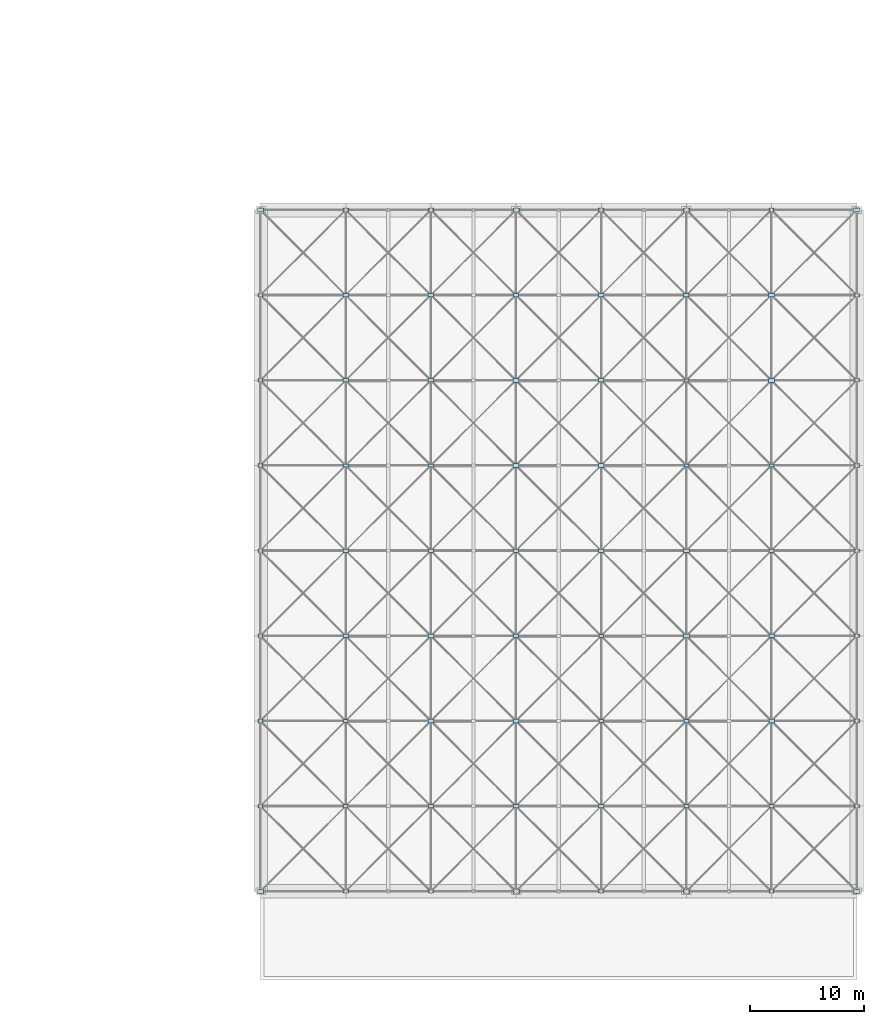
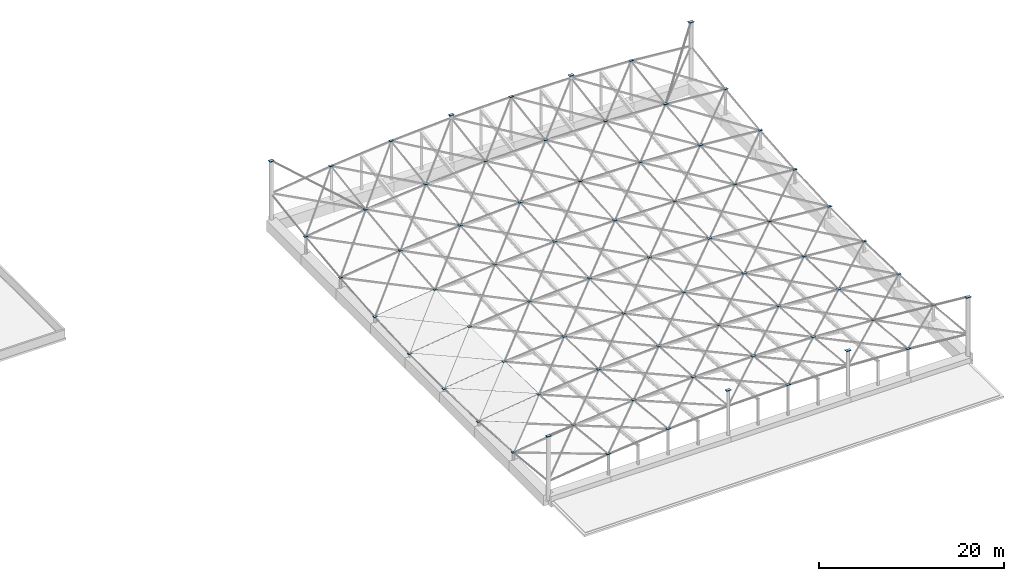
# One storey, part 13 of 17: 72 plates.
"""IFC4 building model written with IfcOpenShell, lengths in metres."""

from ifc_helpers import new_model, si_unit, direction, frame, origin, origin_2d, place, context, subcontext, project, spatial, rectangle, extrude, material, layer, layer_set, type_object, element, save


model = new_model("IFC4")

# Units and contexts
model_context = context("Model", 3, precision=1e-05, world=origin(), true_north=direction((0.0, 1.0)))
body_context = subcontext(model_context, "Body", "Model", "MODEL_VIEW")
ifc_project = project(units=[si_unit("LENGTHUNIT", "METRE"), si_unit("AREAUNIT", "SQUARE_METRE"), si_unit("VOLUMEUNIT", "CUBIC_METRE"), si_unit("PLANEANGLEUNIT", "RADIAN"), si_unit("MASSUNIT", "GRAM", prefix="KILO")], contexts=[model_context])

# Site, building, storey
site_placement = place(None, origin())
site = spatial("IfcSite", under=ifc_project, at=site_placement, CompositionType="ELEMENT")
building_placement = place(site_placement, origin())
building = spatial("IfcBuilding", under=site, at=building_placement, Name="Qasida Concert Hall", CompositionType="ELEMENT")
storey_placement = place(building_placement, frame((0.0, 0.0, 25.199951171875)))
storey = spatial("IfcBuildingStorey", under=building, at=storey_placement, Name="RF", CompositionType="ELEMENT", Elevation=25.199951171875)

# Plates
ifc_material = material(Name="Steel S355J2", Category="steel")
ifc_layer_1 = layer(ifc_material, 0.02392578125, Name="Steel S355J2")
ifc_layer_set_1 = layer_set([ifc_layer_1], Name="Steel S355J2")
plate_type_1 = type_object("IfcPlateType", Name="PLT-PL-EC1", PredefinedType="SHEET", material=ifc_layer_set_1)
for number, where, z_axis, x_axis, name in (
    (1, (52.5, 22.5, 8.38818359375), (0.0, 0.0, 1.0), (1.0, 0.0, 0.0), "Cable-net mast cap plate MS-01"),
    (2, (105.0, 22.5, 8.38818359375), (0.0, 0.0, 1.0), (1.0, 0.0, 0.0), "Cable-net mast cap plate MS-02"),
    (3, (52.5, 82.5, 8.38818359375), (0.0, 0.0, 1.0), (1.0, 0.0, 0.0), "Cable-net mast cap plate MS-03"),
    (4, (105.0, 82.5, 8.38818359375), (0.0, 0.0, 1.0), (1.0, 0.0, 0.0), "Cable-net mast cap plate MS-04"),
    (5, (75.0, 22.5, 6.588134765625), (0.0, 0.0, 1.0), (1.0, 0.0, 0.0), "Cable-net mast cap plate MS-05"),
    (6, (90.0, 22.5, 6.588134765625), (0.0, 0.0, 1.0), (1.0, 0.0, 0.0), "Cable-net mast cap plate MS-06"),
    (7, (75.0, 82.5, 6.588134765625), (0.0, 0.0, 1.0), (1.0, 0.0, 0.0), "Cable-net mast cap plate MS-07"),
    (8, (90.0, 82.5, 6.588134765625), (0.0, 0.0, 1.0), (1.0, 0.0, 0.0), "Cable-net mast cap plate MS-08"),
):
    element("IfcPlate", number, at=place(storey_placement, frame(where, z_axis=z_axis, x_axis=x_axis)), inside=storey, type_object=plate_type_1, Name=name, PredefinedType="SHEET", context=body_context, shape_type="SweptSolid", body=[
        extrude(rectangle(XDim=0.56005859375, YDim=0.3798828125, at=origin_2d()), origin(), (0.0, 0.0, 1.0), 0.02392578125),
    ])
ifc_layer_2 = layer(ifc_material, 0.02001953125, Name="Steel S355J2")
ifc_layer_set_2 = layer_set([ifc_layer_2], Name="Steel S355J2")
plate_type_2 = type_object("IfcPlateType", Name="PLT-PL-EC2", PredefinedType="SHEET", material=ifc_layer_set_2)
for number, where, z_axis, x_axis, name in (
    (9, (52.5, 30.0, 1.68994140625), (0.0, 0.0, 1.0), (1.0, 0.0, 0.0), "Edge strut cap plate EST-001"),
    (10, (52.5, 37.5, 1.215087890625), (0.0, 0.0, 1.0), (1.0, 0.0, 0.0), "Edge strut cap plate EST-002"),
    (11, (52.5, 45.0, 1.01513671875), (0.0, 0.0, 1.0), (1.0, 0.0, 0.0), "Edge strut cap plate EST-003"),
    (12, (52.5, 52.5, 1.090087890625), (0.0, 0.0, 1.0), (1.0, 0.0, 0.0), "Edge strut cap plate EST-004"),
    (13, (52.5, 60.0, 1.43994140625), (0.0, 0.0, 1.0), (1.0, 0.0, 0.0), "Edge strut cap plate EST-005"),
    (14, (52.5, 67.5, 2.06494140625), (0.0, 0.0, 1.0), (1.0, 0.0, 0.0), "Edge strut cap plate EST-006"),
    (15, (52.5, 75.0, 2.965087890625), (0.0, 0.0, 1.0), (1.0, 0.0, 0.0), "Edge strut cap plate EST-007"),
    (16, (60.0, 22.5, 3.4052734375), (0.0, 0.0, 1.0), (1.0, 0.0, 0.0), "Edge strut cap plate EST-008"),
    (17, (60.0, 82.5, 5.105224609375), (0.0, 0.0, 1.0), (1.0, 0.0, 0.0), "Edge strut cap plate EST-009"),
    (18, (67.5, 22.5, 4.101318359375), (0.0, 0.0, 1.0), (1.0, 0.0, 0.0), "Edge strut cap plate EST-010"),
    (19, (67.5, 82.5, 5.80126953125), (0.0, 0.0, 1.0), (1.0, 0.0, 0.0), "Edge strut cap plate EST-011"),
    (20, (82.5, 22.5, 4.68505859375), (0.0, 0.0, 1.0), (1.0, 0.0, 0.0), "Edge strut cap plate EST-012"),
    (21, (82.5, 82.5, 6.385009765625), (0.0, 0.0, 1.0), (1.0, 0.0, 0.0), "Edge strut cap plate EST-013"),
    (22, (97.5, 22.5, 4.19091796875), (0.0, 0.0, 1.0), (1.0, 0.0, 0.0), "Edge strut cap plate EST-014"),
    (23, (97.5, 82.5, 5.89111328125), (0.0, 0.0, 1.0), (1.0, 0.0, 0.0), "Edge strut cap plate EST-015"),
    (24, (105.0, 30.0, 2.7900390625), (0.0, 0.0, 1.0), (1.0, 0.0, 0.0), "Edge strut cap plate EST-016"),
    (25, (105.0, 37.5, 2.31494140625), (0.0, 0.0, 1.0), (1.0, 0.0, 0.0), "Edge strut cap plate EST-017"),
    (26, (105.0, 45.0, 2.114990234375), (0.0, 0.0, 1.0), (1.0, 0.0, 0.0), "Edge strut cap plate EST-018"),
    (27, (105.0, 52.5, 2.18994140625), (0.0, 0.0, 1.0), (1.0, 0.0, 0.0), "Edge strut cap plate EST-019"),
    (28, (105.0, 60.0, 2.5400390625), (0.0, 0.0, 1.0), (1.0, 0.0, 0.0), "Edge strut cap plate EST-020"),
    (29, (105.0, 67.5, 3.1650390625), (0.0, 0.0, 1.0), (1.0, 0.0, 0.0), "Edge strut cap plate EST-021"),
    (30, (105.0, 75.0, 4.06494140625), (0.0, 0.0, 1.0), (1.0, 0.0, 0.0), "Edge strut cap plate EST-022"),
):
    element("IfcPlate", number, at=place(storey_placement, frame(where, z_axis=z_axis, x_axis=x_axis)), inside=storey, type_object=plate_type_2, Name=name, PredefinedType="SHEET", context=body_context, shape_type="SweptSolid", body=[
        extrude(rectangle(XDim=0.4599609375, YDim=0.320068359375, at=origin_2d()), origin(), (0.0, 0.0, 1.0), 0.02001953125),
    ])
ifc_layer_3 = layer(ifc_material, 0.01806640625, Name="Steel S355J2")
ifc_layer_set_3 = layer_set([ifc_layer_3], Name="Steel S355J2")
plate_type_3 = type_object("IfcPlateType", Name="PLT-PL-EC4", PredefinedType="SHEET", material=ifc_layer_set_3)
for number, where, z_axis, x_axis, name in (
    (31, (60.0, 30.0, 2.65625), (0.0, 0.0, 1.0), (1.0, 0.0, 0.0), "Cable clamp plate CLMP-0021"),
    (32, (60.0, 37.5, 2.181396484375), (0.0, 0.0, 1.0), (1.0, 0.0, 0.0), "Cable clamp plate CLMP-0022"),
    (33, (67.5, 52.5, 2.752197265625), (0.0, 0.0, 1.0), (1.0, 0.0, 0.0), "Cable clamp plate CLMP-0031"),
    (34, (67.5, 60.0, 3.102294921875), (0.0, 0.0, 1.0), (1.0, 0.0, 0.0), "Cable clamp plate CLMP-0032"),
    (35, (75.0, 75.0, 5.0537109375), (0.0, 0.0, 1.0), (1.0, 0.0, 0.0), "Cable clamp plate CLMP-0041"),
    (36, (82.5, 37.5, 3.4609375), (0.0, 0.0, 1.0), (1.0, 0.0, 0.0), "Cable clamp plate CLMP-0043"),
    (37, (82.5, 45.0, 3.260986328125), (0.0, 0.0, 1.0), (1.0, 0.0, 0.0), "Cable clamp plate CLMP-0044"),
    (38, (90.0, 60.0, 3.57373046875), (0.0, 0.0, 1.0), (1.0, 0.0, 0.0), "Cable clamp plate CLMP-0053"),
    (39, (90.0, 67.5, 4.19873046875), (0.0, 0.0, 1.0), (1.0, 0.0, 0.0), "Cable clamp plate CLMP-0054"),
    (40, (97.5, 30.0, 3.44189453125), (0.0, 0.0, 1.0), (1.0, 0.0, 0.0), "Cable clamp plate CLMP-0056"),
):
    element("IfcPlate", number, at=place(storey_placement, frame(where, z_axis=z_axis, x_axis=x_axis)), inside=storey, type_object=plate_type_3, Name=name, PredefinedType="SHEET", context=body_context, shape_type="SweptSolid", body=[
        extrude(rectangle(XDim=0.419921875, YDim=0.280029296875, at=origin_2d()), origin(), (0.0, 0.0, 1.0), 0.01806640625),
    ])
ifc_layer_4 = layer(ifc_material, 0.028076171875, Name="Steel S355J2")
ifc_layer_set_4 = layer_set([ifc_layer_4], Name="Steel S355J2")
plate_type_4 = type_object("IfcPlateType", Name="PLT-PL-KN3", PredefinedType="USERDEFINED", material=ifc_layer_set_4)
for number, where, z_axis, x_axis, name in (
    (41, (60.0, 45.0, 1.97607421875), (0.0, 0.0, 1.0), (1.0, 0.0, 0.0), "Cable clamp plate CLMP-0023"),
    (42, (60.0, 52.5, 2.05126953125), (0.0, 0.0, 1.0), (1.0, 0.0, 0.0), "Cable clamp plate CLMP-0024"),
    (43, (67.5, 67.5, 3.72216796875), (0.0, 0.0, 1.0), (1.0, 0.0, 0.0), "Cable clamp plate CLMP-0033"),
    (44, (67.5, 75.0, 4.6220703125), (0.0, 0.0, 1.0), (1.0, 0.0, 0.0), "Cable clamp plate CLMP-0034"),
    (45, (75.0, 30.0, 3.77392578125), (0.0, 0.0, 1.0), (1.0, 0.0, 0.0), "Cable clamp plate CLMP-0035"),
    (46, (75.0, 37.5, 3.298828125), (0.0, 0.0, 1.0), (1.0, 0.0, 0.0), "Cable clamp plate CLMP-0036"),
    (47, (82.5, 52.5, 3.3310546875), (0.0, 0.0, 1.0), (1.0, 0.0, 0.0), "Cable clamp plate CLMP-0045"),
    (48, (82.5, 60.0, 3.68115234375), (0.0, 0.0, 1.0), (1.0, 0.0, 0.0), "Cable clamp plate CLMP-0046"),
    (49, (90.0, 75.0, 5.09375), (0.0, 0.0, 1.0), (1.0, 0.0, 0.0), "Cable clamp plate CLMP-0055"),
    (50, (97.5, 37.5, 2.9619140625), (0.0, 0.0, 1.0), (1.0, 0.0, 0.0), "Cable clamp plate CLMP-0057"),
    (51, (97.5, 45.0, 2.76220703125), (0.0, 0.0, 1.0), (1.0, 0.0, 0.0), "Cable clamp plate CLMP-0058"),
):
    element("IfcPlate", number, at=place(storey_placement, frame(where, z_axis=z_axis, x_axis=x_axis)), inside=storey, type_object=plate_type_4, Name=name, ObjectType="GUSSET_PLATE", PredefinedType="USERDEFINED", context=body_context, shape_type="SweptSolid", body=[
        extrude(rectangle(XDim=0.47998046875, YDim=0.320068359375, at=origin_2d()), origin(), (0.0, 0.0, 1.0), 0.028076171875),
    ])
ifc_layer_5 = layer(ifc_material, 0.02490234375, Name="Steel S355J2")
ifc_layer_set_5 = layer_set([ifc_layer_5], Name="Steel S355J2")
plate_type_5 = type_object("IfcPlateType", Name="PLT-PL-KN4", PredefinedType="USERDEFINED", material=ifc_layer_set_5)
for number, where, z_axis, x_axis, name in (
    (52, (60.0, 60.0, 2.40283203125), (0.0, 0.0, 1.0), (1.0, 0.0, 0.0), "Cable clamp plate CLMP-0025"),
    (53, (60.0, 67.5, 3.02783203125), (0.0, 0.0, 1.0), (1.0, 0.0, 0.0), "Cable clamp plate CLMP-0026"),
    (54, (67.5, 30.0, 3.348876953125), (0.0, 0.0, 1.0), (1.0, 0.0, 0.0), "Cable clamp plate CLMP-0028"),
    (55, (75.0, 45.0, 3.100341796875), (0.0, 0.0, 1.0), (1.0, 0.0, 0.0), "Cable clamp plate CLMP-0037"),
    (56, (75.0, 52.5, 3.17529296875), (0.0, 0.0, 1.0), (1.0, 0.0, 0.0), "Cable clamp plate CLMP-0038"),
    (57, (82.5, 67.5, 4.3076171875), (0.0, 0.0, 1.0), (1.0, 0.0, 0.0), "Cable clamp plate CLMP-0047"),
    (58, (82.5, 75.0, 5.20751953125), (0.0, 0.0, 1.0), (1.0, 0.0, 0.0), "Cable clamp plate CLMP-0048"),
    (59, (90.0, 30.0, 3.8203125), (0.0, 0.0, 1.0), (1.0, 0.0, 0.0), "Cable clamp plate CLMP-0049"),
    (60, (90.0, 37.5, 3.34521484375), (0.0, 0.0, 1.0), (1.0, 0.0, 0.0), "Cable clamp plate CLMP-0050"),
    (61, (97.5, 52.5, 2.838623046875), (0.0, 0.0, 1.0), (1.0, 0.0, 0.0), "Cable clamp plate CLMP-0059"),
    (62, (97.5, 60.0, 3.1884765625), (0.0, 0.0, 1.0), (1.0, 0.0, 0.0), "Cable clamp plate CLMP-0060"),
):
    element("IfcPlate", number, at=place(storey_placement, frame(where, z_axis=z_axis, x_axis=x_axis)), inside=storey, type_object=plate_type_5, Name=name, ObjectType="GUSSET_PLATE", PredefinedType="USERDEFINED", context=body_context, shape_type="SweptSolid", body=[
        extrude(rectangle(XDim=0.449951171875, YDim=0.300048828125, at=origin_2d()), origin(), (0.0, 0.0, 1.0), 0.02490234375),
    ])
ifc_layer_6 = layer(ifc_material, 0.030029296875, Name="Steel S355J2")
ifc_layer_set_6 = layer_set([ifc_layer_6], Name="Steel S355J2")
plate_type_6 = type_object("IfcPlateType", Name="PLT-PL-KN6", PredefinedType="USERDEFINED", material=ifc_layer_set_6)
for number, where, z_axis, x_axis, name in (
    (63, (60.0, 75.0, 3.92529296875), (0.0, 0.0, 1.0), (1.0, 0.0, 0.0), "Cable clamp plate CLMP-0027"),
    (64, (67.5, 37.5, 2.87109375), (0.0, 0.0, 1.0), (1.0, 0.0, 0.0), "Cable clamp plate CLMP-0029"),
    (65, (67.5, 45.0, 2.67138671875), (0.0, 0.0, 1.0), (1.0, 0.0, 0.0), "Cable clamp plate CLMP-0030"),
    (66, (75.0, 60.0, 3.52294921875), (0.0, 0.0, 1.0), (1.0, 0.0, 0.0), "Cable clamp plate CLMP-0039"),
    (67, (75.0, 67.5, 4.14794921875), (0.0, 0.0, 1.0), (1.0, 0.0, 0.0), "Cable clamp plate CLMP-0040"),
    (68, (82.5, 30.0, 3.93017578125), (0.0, 0.0, 1.0), (1.0, 0.0, 0.0), "Cable clamp plate CLMP-0042"),
    (69, (90.0, 45.0, 3.142578125), (0.0, 0.0, 1.0), (1.0, 0.0, 0.0), "Cable clamp plate CLMP-0051"),
    (70, (90.0, 52.5, 3.2177734375), (0.0, 0.0, 1.0), (1.0, 0.0, 0.0), "Cable clamp plate CLMP-0052"),
    (71, (97.5, 67.5, 3.81103515625), (0.0, 0.0, 1.0), (1.0, 0.0, 0.0), "Cable clamp plate CLMP-0061"),
    (72, (97.5, 75.0, 4.7109375), (0.0, 0.0, 1.0), (1.0, 0.0, 0.0), "Cable clamp plate CLMP-0062"),
):
    element("IfcPlate", number, at=place(storey_placement, frame(where, z_axis=z_axis, x_axis=x_axis)), inside=storey, type_object=plate_type_6, Name=name, ObjectType="GUSSET_PLATE", PredefinedType="USERDEFINED", context=body_context, shape_type="SweptSolid", body=[
        extrude(rectangle(XDim=0.52001953125, YDim=0.340087890625, at=origin_2d()), origin(), (0.0, 0.0, 1.0), 0.030029296875),
    ])

save(model, "model.ifc")
